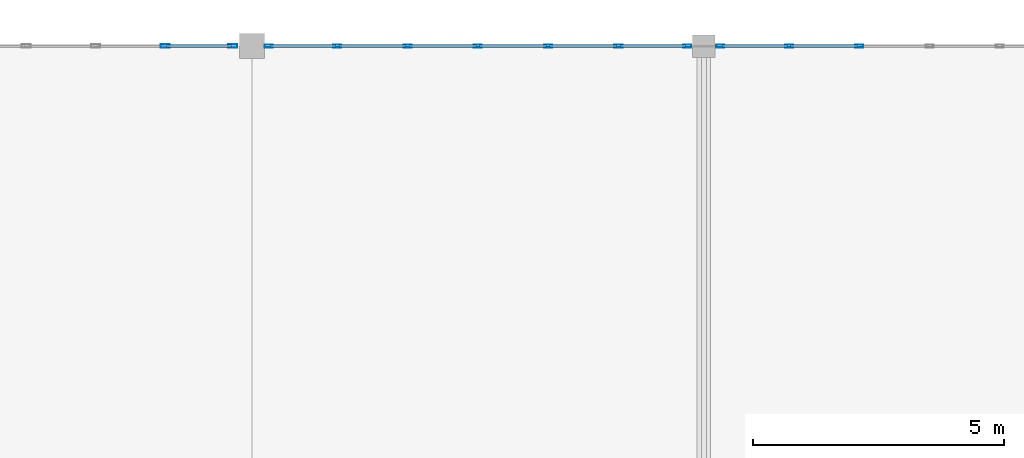
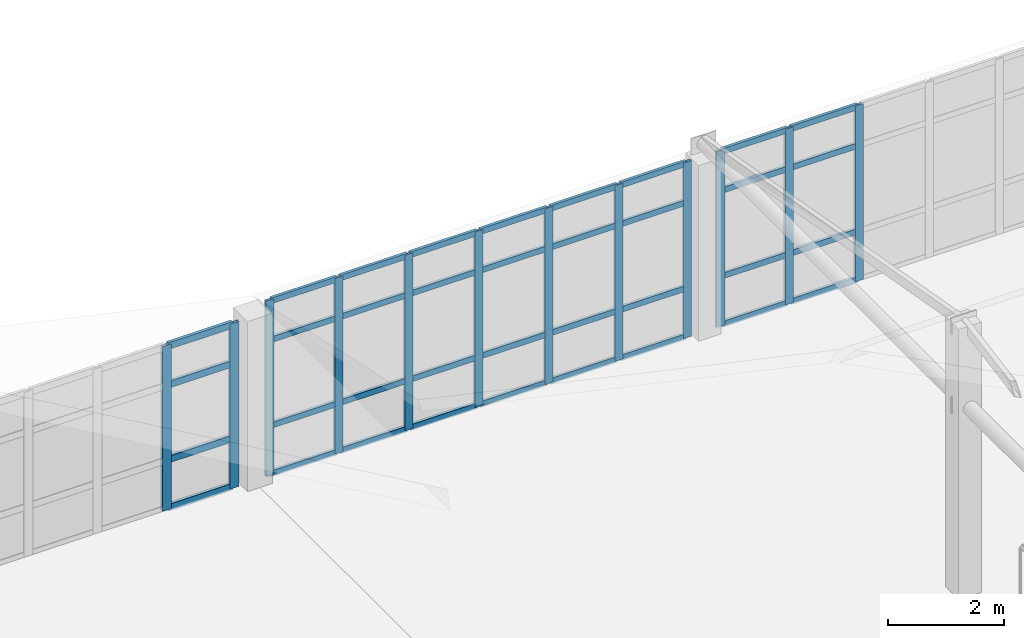
# One storey, part 52 of 156: 48 members, 3 elements without a shape of their own.
"""IFC4 building model written with IfcOpenShell, lengths in metres."""

from ifc_helpers import new_model, si_unit, direction, frame, origin, origin_2d, place, context, subcontext, project, spatial, hollow_rectangle, extrude, material, layer, layer_set, material_profile, profile_set, type_object, element, aggregate, save


model = new_model("IFC4")

# Units and contexts
model_context = context("Model", 3, precision=1e-05, world=origin(), true_north=direction((0.0, 1.0)))
body_context = subcontext(model_context, "Body", "Model", "MODEL_VIEW")
ifc_project = project(units=[si_unit("LENGTHUNIT", "METRE"), si_unit("AREAUNIT", "SQUARE_METRE"), si_unit("VOLUMEUNIT", "CUBIC_METRE"), si_unit("PLANEANGLEUNIT", "RADIAN"), si_unit("MASSUNIT", "GRAM", prefix="KILO")], contexts=[model_context])

# Site, building, storey
site_placement = place(None, origin())
site = spatial("IfcSite", under=ifc_project, at=site_placement, CompositionType="ELEMENT")
building_placement = place(site_placement, origin())
building = spatial("IfcBuilding", under=site, at=building_placement, Name="Ornek Quay Market", CompositionType="ELEMENT")
storey_placement = place(building_placement, frame((0.0, 0.0, 4.5)))
storey = spatial("IfcBuildingStorey", under=building, at=storey_placement, Name="L01", CompositionType="ELEMENT", Elevation=4.5)

# Curtain wall, members
ifc_material_1 = material(Name="Anodised bronze aluminium and triple low-e glass", Category="aluminium")
ifc_layer = layer(ifc_material_1, 0.179931640625, Name="Anodised bronze aluminium and triple low-e glass", Category="aluminium")
ifc_layer_set = layer_set([ifc_layer], Name="Anodised bronze aluminium and triple low-e glass")
curtain_wall_type = type_object("IfcCurtainWallType", Name="CW-CONC-MOD1500", PredefinedType="USERDEFINED", material=ifc_layer_set)
curtain_wall_1_placement = place(storey_placement, origin())
curtain_wall_1 = element("IfcCurtainWall", 1, at=curtain_wall_1_placement, inside=storey, type_object=curtain_wall_type, Name="Curtain wall CW-013", ObjectType="CURTAIN WALL", PredefinedType="USERDEFINED")
ifc_material_2 = material(Name="Anodised aluminium 6063-T6", Category="aluminium")
ifc_material_profile_1 = material_profile(ifc_material_2, hollow_rectangle(XDim=0.06005859375, YDim=0.159912109375, WallThickness=0.00390625, at=origin_2d()), Name="CW-MUL-60x160", Category="aluminium")
ifc_profile_set_1 = profile_set([ifc_material_profile_1], Name="Anodised aluminium 6063-T6")
member_type_1 = type_object("IfcMemberType", Name="CW-MUL-60x160", PredefinedType="MULLION", material=ifc_profile_set_1)
member_1_placement = place(storey_placement, frame((27.330078125, 110.0, 0.0), z_axis=(0.0, 0.0, 1.0), x_axis=(0.0, 1.0, 0.0)))
member_1 = element("IfcMember", 2, at=member_1_placement, type_object=member_type_1, Name="CW-013 mullion 1", PredefinedType="MULLION", context=body_context, shape_type="SweptSolid", body=[
    extrude(hollow_rectangle(XDim=0.06005859375, YDim=0.159912109375, WallThickness=0.00390625, at=origin_2d()), origin(), (0.0, 0.0, 1.0), 3.7099609375),
])
member_2_placement = place(storey_placement, frame((28.699951171875, 110.0, 0.0), z_axis=(0.0, 0.0, 1.0), x_axis=(0.0, 1.0, 0.0)))
member_2 = element("IfcMember", 3, at=member_2_placement, type_object=member_type_1, Name="CW-013 mullion 2", PredefinedType="MULLION", context=body_context, shape_type="SweptSolid", body=[
    extrude(hollow_rectangle(XDim=0.06005859375, YDim=0.159912109375, WallThickness=0.00390625, at=origin_2d()), origin(), (0.0, 0.0, 1.0), 3.7099609375),
])
member_3_placement = place(storey_placement, frame((30.10009765625, 110.0, 0.0), z_axis=(0.0, 0.0, 1.0), x_axis=(0.0, 1.0, 0.0)))
member_3 = element("IfcMember", 4, at=member_3_placement, type_object=member_type_1, Name="CW-013 mullion 3", PredefinedType="MULLION", context=body_context, shape_type="SweptSolid", body=[
    extrude(hollow_rectangle(XDim=0.06005859375, YDim=0.159912109375, WallThickness=0.00390625, at=origin_2d()), origin(), (0.0, 0.0, 1.0), 3.7099609375),
])
member_4_placement = place(storey_placement, frame((31.5, 110.0, 0.0), z_axis=(0.0, 0.0, 1.0), x_axis=(0.0, 1.0, 0.0)))
member_4 = element("IfcMember", 5, at=member_4_placement, type_object=member_type_1, Name="CW-013 mullion 4", PredefinedType="MULLION", context=body_context, shape_type="SweptSolid", body=[
    extrude(hollow_rectangle(XDim=0.06005859375, YDim=0.159912109375, WallThickness=0.00390625, at=origin_2d()), origin(), (0.0, 0.0, 1.0), 3.7099609375),
])
member_5_placement = place(storey_placement, frame((32.89990234375, 110.0, 0.0), z_axis=(0.0, 0.0, 1.0), x_axis=(0.0, 1.0, 0.0)))
member_5 = element("IfcMember", 6, at=member_5_placement, type_object=member_type_1, Name="CW-013 mullion 5", PredefinedType="MULLION", context=body_context, shape_type="SweptSolid", body=[
    extrude(hollow_rectangle(XDim=0.06005859375, YDim=0.159912109375, WallThickness=0.00390625, at=origin_2d()), origin(), (0.0, 0.0, 1.0), 3.7099609375),
])
member_6_placement = place(storey_placement, frame((34.300048828125, 110.0, 0.0), z_axis=(0.0, 0.0, 1.0), x_axis=(0.0, 1.0, 0.0)))
member_6 = element("IfcMember", 7, at=member_6_placement, type_object=member_type_1, Name="CW-013 mullion 6", PredefinedType="MULLION", context=body_context, shape_type="SweptSolid", body=[
    extrude(hollow_rectangle(XDim=0.06005859375, YDim=0.159912109375, WallThickness=0.00390625, at=origin_2d()), origin(), (0.0, 0.0, 1.0), 3.7099609375),
])
member_7_placement = place(storey_placement, frame((35.669921875, 110.0, 0.0), z_axis=(0.0, 0.0, 1.0), x_axis=(0.0, 1.0, 0.0)))
member_7 = element("IfcMember", 8, at=member_7_placement, type_object=member_type_1, Name="CW-013 mullion 7", PredefinedType="MULLION", context=body_context, shape_type="SweptSolid", body=[
    extrude(hollow_rectangle(XDim=0.06005859375, YDim=0.159912109375, WallThickness=0.00390625, at=origin_2d()), origin(), (0.0, 0.0, 1.0), 3.7099609375),
])

curtain_wall_2_placement = place(storey_placement, origin())
curtain_wall_2 = element("IfcCurtainWall", 9, at=curtain_wall_2_placement, inside=storey, type_object=curtain_wall_type, Name="Curtain wall CW-017", ObjectType="CURTAIN WALL", PredefinedType="USERDEFINED")
member_8_placement = place(storey_placement, frame((36.330078125, 110.0, 0.0), z_axis=(0.0, 0.0, 1.0), x_axis=(0.0, 1.0, 0.0)))
member_8 = element("IfcMember", 10, at=member_8_placement, type_object=member_type_1, Name="CW-017 mullion 1", PredefinedType="MULLION", context=body_context, shape_type="SweptSolid", body=[
    extrude(hollow_rectangle(XDim=0.06005859375, YDim=0.159912109375, WallThickness=0.00390625, at=origin_2d()), origin(), (0.0, 0.0, 1.0), 3.7099609375),
])
member_9_placement = place(storey_placement, frame((37.699951171875, 110.0, 0.0), z_axis=(0.0, 0.0, 1.0), x_axis=(0.0, 1.0, 0.0)))
member_9 = element("IfcMember", 11, at=member_9_placement, type_object=member_type_1, Name="CW-017 mullion 2", PredefinedType="MULLION", context=body_context, shape_type="SweptSolid", body=[
    extrude(hollow_rectangle(XDim=0.06005859375, YDim=0.159912109375, WallThickness=0.00390625, at=origin_2d()), origin(), (0.0, 0.0, 1.0), 3.7099609375),
])
member_10_placement = place(storey_placement, frame((39.10009765625, 110.0, 0.0), z_axis=(0.0, 0.0, 1.0), x_axis=(0.0, 1.0, 0.0)))
member_10 = element("IfcMember", 12, at=member_10_placement, type_object=member_type_1, Name="CW-017 mullion 3", PredefinedType="MULLION", context=body_context, shape_type="SweptSolid", body=[
    extrude(hollow_rectangle(XDim=0.06005859375, YDim=0.159912109375, WallThickness=0.00390625, at=origin_2d()), origin(), (0.0, 0.0, 1.0), 3.7099609375),
])

curtain_wall_3_placement = place(storey_placement, origin())
curtain_wall_3 = element("IfcCurtainWall", 13, at=curtain_wall_3_placement, inside=storey, type_object=curtain_wall_type, Name="Curtain wall CW-004", ObjectType="CURTAIN WALL", PredefinedType="USERDEFINED")
ifc_material_profile_2 = material_profile(ifc_material_2, hollow_rectangle(XDim=0.06494140625, YDim=0.179931640625, WallThickness=0.00439453125, at=origin_2d()), Name="CW-MUL-65x180", Category="aluminium")
ifc_profile_set_2 = profile_set([ifc_material_profile_2], Name="Anodised aluminium 6063-T6")
member_type_2 = type_object("IfcMemberType", Name="CW-MUL-65x180", PredefinedType="MULLION", material=ifc_profile_set_2)
member_11_placement = place(storey_placement, frame((25.2666015625, 110.0, 0.0), z_axis=(0.0, 0.0, 1.0), x_axis=(0.0, 1.0, 0.0)))
member_11 = element("IfcMember", 14, at=member_11_placement, type_object=member_type_2, Name="CW-004 mullion 6", PredefinedType="MULLION", context=body_context, shape_type="SweptSolid", body=[
    extrude(hollow_rectangle(XDim=0.06494140625, YDim=0.179931640625, WallThickness=0.00439453125, at=origin_2d()), origin(), (0.0, 0.0, 1.0), 3.47998046875),
])
member_12_placement = place(storey_placement, frame((26.617431640625, 110.0, 0.0), z_axis=(0.0, 0.0, 1.0), x_axis=(0.0, 1.0, 0.0)))
member_12 = element("IfcMember", 15, at=member_12_placement, type_object=member_type_2, Name="CW-004 mullion 7", PredefinedType="MULLION", context=body_context, shape_type="SweptSolid", body=[
    extrude(hollow_rectangle(XDim=0.06494140625, YDim=0.179931640625, WallThickness=0.00439453125, at=origin_2d()), origin(), (0.0, 0.0, 1.0), 3.47998046875),
])

# Member
ifc_material_profile_3 = material_profile(ifc_material_2, hollow_rectangle(XDim=0.06005859375, YDim=0.1201171875, WallThickness=0.00390625, at=origin_2d()), Name="CW-TRN-60x120", Category="aluminium")
ifc_profile_set_3 = profile_set([ifc_material_profile_3], Name="Anodised aluminium 6063-T6")
member_type_3 = type_object("IfcMemberType", Name="CW-TRN-60x120", PredefinedType="USERDEFINED", material=ifc_profile_set_3)
member_13_placement = place(storey_placement, frame((27.360107421875, 110.0, 0.030029296875), z_axis=(1.0, 0.0, 0.0), x_axis=(0.0, 1.0, 0.0)))
member_13 = element("IfcMember", 16, at=member_13_placement, type_object=member_type_3, Name="CW-013 transom 1.1", ObjectType="TRANSOM", PredefinedType="USERDEFINED", context=body_context, shape_type="SweptSolid", body=[
    extrude(hollow_rectangle(XDim=0.06005859375, YDim=0.1201171875, WallThickness=0.00390625, at=origin_2d()), origin(), (0.0, 0.0, 1.0), 1.309814453125),
])

member_14_placement = place(storey_placement, frame((27.360107421875, 110.0, 1.050048828125), z_axis=(1.0, 0.0, 0.0), x_axis=(0.0, 1.0, 0.0)))
member_14 = element("IfcMember", 17, at=member_14_placement, type_object=member_type_3, Name="CW-013 transom 1.2", ObjectType="TRANSOM", PredefinedType="USERDEFINED", context=body_context, shape_type="SweptSolid", body=[
    extrude(hollow_rectangle(XDim=0.06005859375, YDim=0.1201171875, WallThickness=0.00390625, at=origin_2d()), origin(), (0.0, 0.0, 1.0), 1.309814453125),
])

member_15_placement = place(storey_placement, frame((27.360107421875, 110.0, 2.860107421875), z_axis=(1.0, 0.0, 0.0), x_axis=(0.0, 1.0, 0.0)))
member_15 = element("IfcMember", 18, at=member_15_placement, type_object=member_type_3, Name="CW-013 transom 1.3", ObjectType="TRANSOM", PredefinedType="USERDEFINED", context=body_context, shape_type="SweptSolid", body=[
    extrude(hollow_rectangle(XDim=0.06005859375, YDim=0.1201171875, WallThickness=0.00390625, at=origin_2d()), origin(), (0.0, 0.0, 1.0), 1.309814453125),
])

member_16_placement = place(storey_placement, frame((27.360107421875, 110.0, 3.679931640625), z_axis=(1.0, 0.0, 0.0), x_axis=(0.0, 1.0, 0.0)))
member_16 = element("IfcMember", 19, at=member_16_placement, type_object=member_type_3, Name="CW-013 transom 1.4", ObjectType="TRANSOM", PredefinedType="USERDEFINED", context=body_context, shape_type="SweptSolid", body=[
    extrude(hollow_rectangle(XDim=0.06005859375, YDim=0.1201171875, WallThickness=0.00390625, at=origin_2d()), origin(), (0.0, 0.0, 1.0), 1.309814453125),
])

member_17_placement = place(storey_placement, frame((28.72998046875, 110.0, 0.030029296875), z_axis=(1.0, 0.0, 0.0), x_axis=(0.0, 1.0, 0.0)))
member_17 = element("IfcMember", 20, at=member_17_placement, type_object=member_type_3, Name="CW-013 transom 2.1", ObjectType="TRANSOM", PredefinedType="USERDEFINED", context=body_context, shape_type="SweptSolid", body=[
    extrude(hollow_rectangle(XDim=0.06005859375, YDim=0.1201171875, WallThickness=0.00390625, at=origin_2d()), origin(), (0.0, 0.0, 1.0), 1.340087890625),
])

member_18_placement = place(storey_placement, frame((28.72998046875, 110.0, 1.050048828125), z_axis=(1.0, 0.0, 0.0), x_axis=(0.0, 1.0, 0.0)))
member_18 = element("IfcMember", 21, at=member_18_placement, type_object=member_type_3, Name="CW-013 transom 2.2", ObjectType="TRANSOM", PredefinedType="USERDEFINED", context=body_context, shape_type="SweptSolid", body=[
    extrude(hollow_rectangle(XDim=0.06005859375, YDim=0.1201171875, WallThickness=0.00390625, at=origin_2d()), origin(), (0.0, 0.0, 1.0), 1.340087890625),
])

member_19_placement = place(storey_placement, frame((28.72998046875, 110.0, 2.860107421875), z_axis=(1.0, 0.0, 0.0), x_axis=(0.0, 1.0, 0.0)))
member_19 = element("IfcMember", 22, at=member_19_placement, type_object=member_type_3, Name="CW-013 transom 2.3", ObjectType="TRANSOM", PredefinedType="USERDEFINED", context=body_context, shape_type="SweptSolid", body=[
    extrude(hollow_rectangle(XDim=0.06005859375, YDim=0.1201171875, WallThickness=0.00390625, at=origin_2d()), origin(), (0.0, 0.0, 1.0), 1.340087890625),
])

member_20_placement = place(storey_placement, frame((28.72998046875, 110.0, 3.679931640625), z_axis=(1.0, 0.0, 0.0), x_axis=(0.0, 1.0, 0.0)))
member_20 = element("IfcMember", 23, at=member_20_placement, type_object=member_type_3, Name="CW-013 transom 2.4", ObjectType="TRANSOM", PredefinedType="USERDEFINED", context=body_context, shape_type="SweptSolid", body=[
    extrude(hollow_rectangle(XDim=0.06005859375, YDim=0.1201171875, WallThickness=0.00390625, at=origin_2d()), origin(), (0.0, 0.0, 1.0), 1.340087890625),
])

member_21_placement = place(storey_placement, frame((30.1298828125, 110.0, 0.030029296875), z_axis=(1.0, 0.0, 0.0), x_axis=(0.0, 1.0, 0.0)))
member_21 = element("IfcMember", 24, at=member_21_placement, type_object=member_type_3, Name="CW-013 transom 3.1", ObjectType="TRANSOM", PredefinedType="USERDEFINED", context=body_context, shape_type="SweptSolid", body=[
    extrude(hollow_rectangle(XDim=0.06005859375, YDim=0.1201171875, WallThickness=0.00390625, at=origin_2d()), origin(), (0.0, 0.0, 1.0), 1.340087890625),
])

member_22_placement = place(storey_placement, frame((30.1298828125, 110.0, 1.050048828125), z_axis=(1.0, 0.0, 0.0), x_axis=(0.0, 1.0, 0.0)))
member_22 = element("IfcMember", 25, at=member_22_placement, type_object=member_type_3, Name="CW-013 transom 3.2", ObjectType="TRANSOM", PredefinedType="USERDEFINED", context=body_context, shape_type="SweptSolid", body=[
    extrude(hollow_rectangle(XDim=0.06005859375, YDim=0.1201171875, WallThickness=0.00390625, at=origin_2d()), origin(), (0.0, 0.0, 1.0), 1.340087890625),
])

member_23_placement = place(storey_placement, frame((30.1298828125, 110.0, 2.860107421875), z_axis=(1.0, 0.0, 0.0), x_axis=(0.0, 1.0, 0.0)))
member_23 = element("IfcMember", 26, at=member_23_placement, type_object=member_type_3, Name="CW-013 transom 3.3", ObjectType="TRANSOM", PredefinedType="USERDEFINED", context=body_context, shape_type="SweptSolid", body=[
    extrude(hollow_rectangle(XDim=0.06005859375, YDim=0.1201171875, WallThickness=0.00390625, at=origin_2d()), origin(), (0.0, 0.0, 1.0), 1.340087890625),
])

member_24_placement = place(storey_placement, frame((30.1298828125, 110.0, 3.679931640625), z_axis=(1.0, 0.0, 0.0), x_axis=(0.0, 1.0, 0.0)))
member_24 = element("IfcMember", 27, at=member_24_placement, type_object=member_type_3, Name="CW-013 transom 3.4", ObjectType="TRANSOM", PredefinedType="USERDEFINED", context=body_context, shape_type="SweptSolid", body=[
    extrude(hollow_rectangle(XDim=0.06005859375, YDim=0.1201171875, WallThickness=0.00390625, at=origin_2d()), origin(), (0.0, 0.0, 1.0), 1.340087890625),
])

member_25_placement = place(storey_placement, frame((31.530029296875, 110.0, 0.030029296875), z_axis=(1.0, 0.0, 0.0), x_axis=(0.0, 1.0, 0.0)))
member_25 = element("IfcMember", 28, at=member_25_placement, type_object=member_type_3, Name="CW-013 transom 4.1", ObjectType="TRANSOM", PredefinedType="USERDEFINED", context=body_context, shape_type="SweptSolid", body=[
    extrude(hollow_rectangle(XDim=0.06005859375, YDim=0.1201171875, WallThickness=0.00390625, at=origin_2d()), origin(), (0.0, 0.0, 1.0), 1.340087890625),
])

member_26_placement = place(storey_placement, frame((31.530029296875, 110.0, 1.050048828125), z_axis=(1.0, 0.0, 0.0), x_axis=(0.0, 1.0, 0.0)))
member_26 = element("IfcMember", 29, at=member_26_placement, type_object=member_type_3, Name="CW-013 transom 4.2", ObjectType="TRANSOM", PredefinedType="USERDEFINED", context=body_context, shape_type="SweptSolid", body=[
    extrude(hollow_rectangle(XDim=0.06005859375, YDim=0.1201171875, WallThickness=0.00390625, at=origin_2d()), origin(), (0.0, 0.0, 1.0), 1.340087890625),
])

member_27_placement = place(storey_placement, frame((31.530029296875, 110.0, 2.860107421875), z_axis=(1.0, 0.0, 0.0), x_axis=(0.0, 1.0, 0.0)))
member_27 = element("IfcMember", 30, at=member_27_placement, type_object=member_type_3, Name="CW-013 transom 4.3", ObjectType="TRANSOM", PredefinedType="USERDEFINED", context=body_context, shape_type="SweptSolid", body=[
    extrude(hollow_rectangle(XDim=0.06005859375, YDim=0.1201171875, WallThickness=0.00390625, at=origin_2d()), origin(), (0.0, 0.0, 1.0), 1.340087890625),
])

member_28_placement = place(storey_placement, frame((31.530029296875, 110.0, 3.679931640625), z_axis=(1.0, 0.0, 0.0), x_axis=(0.0, 1.0, 0.0)))
member_28 = element("IfcMember", 31, at=member_28_placement, type_object=member_type_3, Name="CW-013 transom 4.4", ObjectType="TRANSOM", PredefinedType="USERDEFINED", context=body_context, shape_type="SweptSolid", body=[
    extrude(hollow_rectangle(XDim=0.06005859375, YDim=0.1201171875, WallThickness=0.00390625, at=origin_2d()), origin(), (0.0, 0.0, 1.0), 1.340087890625),
])

member_29_placement = place(storey_placement, frame((32.929931640625, 110.0, 0.030029296875), z_axis=(1.0, 0.0, 0.0), x_axis=(0.0, 1.0, 0.0)))
member_29 = element("IfcMember", 32, at=member_29_placement, type_object=member_type_3, Name="CW-013 transom 5.1", ObjectType="TRANSOM", PredefinedType="USERDEFINED", context=body_context, shape_type="SweptSolid", body=[
    extrude(hollow_rectangle(XDim=0.06005859375, YDim=0.1201171875, WallThickness=0.00390625, at=origin_2d()), origin(), (0.0, 0.0, 1.0), 1.340087890625),
])

member_30_placement = place(storey_placement, frame((32.929931640625, 110.0, 1.050048828125), z_axis=(1.0, 0.0, 0.0), x_axis=(0.0, 1.0, 0.0)))
member_30 = element("IfcMember", 33, at=member_30_placement, type_object=member_type_3, Name="CW-013 transom 5.2", ObjectType="TRANSOM", PredefinedType="USERDEFINED", context=body_context, shape_type="SweptSolid", body=[
    extrude(hollow_rectangle(XDim=0.06005859375, YDim=0.1201171875, WallThickness=0.00390625, at=origin_2d()), origin(), (0.0, 0.0, 1.0), 1.340087890625),
])

member_31_placement = place(storey_placement, frame((32.929931640625, 110.0, 2.860107421875), z_axis=(1.0, 0.0, 0.0), x_axis=(0.0, 1.0, 0.0)))
member_31 = element("IfcMember", 34, at=member_31_placement, type_object=member_type_3, Name="CW-013 transom 5.3", ObjectType="TRANSOM", PredefinedType="USERDEFINED", context=body_context, shape_type="SweptSolid", body=[
    extrude(hollow_rectangle(XDim=0.06005859375, YDim=0.1201171875, WallThickness=0.00390625, at=origin_2d()), origin(), (0.0, 0.0, 1.0), 1.340087890625),
])

member_32_placement = place(storey_placement, frame((32.929931640625, 110.0, 3.679931640625), z_axis=(1.0, 0.0, 0.0), x_axis=(0.0, 1.0, 0.0)))
member_32 = element("IfcMember", 35, at=member_32_placement, type_object=member_type_3, Name="CW-013 transom 5.4", ObjectType="TRANSOM", PredefinedType="USERDEFINED", context=body_context, shape_type="SweptSolid", body=[
    extrude(hollow_rectangle(XDim=0.06005859375, YDim=0.1201171875, WallThickness=0.00390625, at=origin_2d()), origin(), (0.0, 0.0, 1.0), 1.340087890625),
])

member_33_placement = place(storey_placement, frame((34.330078125, 110.0, 0.030029296875), z_axis=(1.0, 0.0, 0.0), x_axis=(0.0, 1.0, 0.0)))
member_33 = element("IfcMember", 36, at=member_33_placement, type_object=member_type_3, Name="CW-013 transom 6.1", ObjectType="TRANSOM", PredefinedType="USERDEFINED", context=body_context, shape_type="SweptSolid", body=[
    extrude(hollow_rectangle(XDim=0.06005859375, YDim=0.1201171875, WallThickness=0.00390625, at=origin_2d()), origin(), (0.0, 0.0, 1.0), 1.309814453125),
])

member_34_placement = place(storey_placement, frame((34.330078125, 110.0, 1.050048828125), z_axis=(1.0, 0.0, 0.0), x_axis=(0.0, 1.0, 0.0)))
member_34 = element("IfcMember", 37, at=member_34_placement, type_object=member_type_3, Name="CW-013 transom 6.2", ObjectType="TRANSOM", PredefinedType="USERDEFINED", context=body_context, shape_type="SweptSolid", body=[
    extrude(hollow_rectangle(XDim=0.06005859375, YDim=0.1201171875, WallThickness=0.00390625, at=origin_2d()), origin(), (0.0, 0.0, 1.0), 1.309814453125),
])

member_35_placement = place(storey_placement, frame((34.330078125, 110.0, 2.860107421875), z_axis=(1.0, 0.0, 0.0), x_axis=(0.0, 1.0, 0.0)))
member_35 = element("IfcMember", 38, at=member_35_placement, type_object=member_type_3, Name="CW-013 transom 6.3", ObjectType="TRANSOM", PredefinedType="USERDEFINED", context=body_context, shape_type="SweptSolid", body=[
    extrude(hollow_rectangle(XDim=0.06005859375, YDim=0.1201171875, WallThickness=0.00390625, at=origin_2d()), origin(), (0.0, 0.0, 1.0), 1.309814453125),
])

member_36_placement = place(storey_placement, frame((34.330078125, 110.0, 3.679931640625), z_axis=(1.0, 0.0, 0.0), x_axis=(0.0, 1.0, 0.0)))
member_36 = element("IfcMember", 39, at=member_36_placement, type_object=member_type_3, Name="CW-013 transom 6.4", ObjectType="TRANSOM", PredefinedType="USERDEFINED", context=body_context, shape_type="SweptSolid", body=[
    extrude(hollow_rectangle(XDim=0.06005859375, YDim=0.1201171875, WallThickness=0.00390625, at=origin_2d()), origin(), (0.0, 0.0, 1.0), 1.309814453125),
])

aggregate(curtain_wall_1, [member_1, member_2, member_3, member_4, member_5, member_6, member_7, member_13, member_14, member_15, member_16, member_17, member_18, member_19, member_20, member_21, member_22, member_23, member_24, member_25, member_26, member_27, member_28, member_29, member_30, member_31, member_32, member_33, member_34, member_35, member_36])

member_37_placement = place(storey_placement, frame((36.360107421875, 110.0, 0.030029296875), z_axis=(1.0, 0.0, 0.0), x_axis=(0.0, 1.0, 0.0)))
member_37 = element("IfcMember", 40, at=member_37_placement, type_object=member_type_3, Name="CW-017 transom 1.1", ObjectType="TRANSOM", PredefinedType="USERDEFINED", context=body_context, shape_type="SweptSolid", body=[
    extrude(hollow_rectangle(XDim=0.06005859375, YDim=0.1201171875, WallThickness=0.00390625, at=origin_2d()), origin(), (0.0, 0.0, 1.0), 1.309814453125),
])

member_38_placement = place(storey_placement, frame((36.360107421875, 110.0, 1.050048828125), z_axis=(1.0, 0.0, 0.0), x_axis=(0.0, 1.0, 0.0)))
member_38 = element("IfcMember", 41, at=member_38_placement, type_object=member_type_3, Name="CW-017 transom 1.2", ObjectType="TRANSOM", PredefinedType="USERDEFINED", context=body_context, shape_type="SweptSolid", body=[
    extrude(hollow_rectangle(XDim=0.06005859375, YDim=0.1201171875, WallThickness=0.00390625, at=origin_2d()), origin(), (0.0, 0.0, 1.0), 1.309814453125),
])

member_39_placement = place(storey_placement, frame((36.360107421875, 110.0, 2.860107421875), z_axis=(1.0, 0.0, 0.0), x_axis=(0.0, 1.0, 0.0)))
member_39 = element("IfcMember", 42, at=member_39_placement, type_object=member_type_3, Name="CW-017 transom 1.3", ObjectType="TRANSOM", PredefinedType="USERDEFINED", context=body_context, shape_type="SweptSolid", body=[
    extrude(hollow_rectangle(XDim=0.06005859375, YDim=0.1201171875, WallThickness=0.00390625, at=origin_2d()), origin(), (0.0, 0.0, 1.0), 1.309814453125),
])

member_40_placement = place(storey_placement, frame((36.360107421875, 110.0, 3.679931640625), z_axis=(1.0, 0.0, 0.0), x_axis=(0.0, 1.0, 0.0)))
member_40 = element("IfcMember", 43, at=member_40_placement, type_object=member_type_3, Name="CW-017 transom 1.4", ObjectType="TRANSOM", PredefinedType="USERDEFINED", context=body_context, shape_type="SweptSolid", body=[
    extrude(hollow_rectangle(XDim=0.06005859375, YDim=0.1201171875, WallThickness=0.00390625, at=origin_2d()), origin(), (0.0, 0.0, 1.0), 1.309814453125),
])

member_41_placement = place(storey_placement, frame((37.72998046875, 110.0, 0.030029296875), z_axis=(1.0, 0.0, 0.0), x_axis=(0.0, 1.0, 0.0)))
member_41 = element("IfcMember", 44, at=member_41_placement, type_object=member_type_3, Name="CW-017 transom 2.1", ObjectType="TRANSOM", PredefinedType="USERDEFINED", context=body_context, shape_type="SweptSolid", body=[
    extrude(hollow_rectangle(XDim=0.06005859375, YDim=0.1201171875, WallThickness=0.00390625, at=origin_2d()), origin(), (0.0, 0.0, 1.0), 1.340087890625),
])

member_42_placement = place(storey_placement, frame((37.72998046875, 110.0, 1.050048828125), z_axis=(1.0, 0.0, 0.0), x_axis=(0.0, 1.0, 0.0)))
member_42 = element("IfcMember", 45, at=member_42_placement, type_object=member_type_3, Name="CW-017 transom 2.2", ObjectType="TRANSOM", PredefinedType="USERDEFINED", context=body_context, shape_type="SweptSolid", body=[
    extrude(hollow_rectangle(XDim=0.06005859375, YDim=0.1201171875, WallThickness=0.00390625, at=origin_2d()), origin(), (0.0, 0.0, 1.0), 1.340087890625),
])

member_43_placement = place(storey_placement, frame((37.72998046875, 110.0, 2.860107421875), z_axis=(1.0, 0.0, 0.0), x_axis=(0.0, 1.0, 0.0)))
member_43 = element("IfcMember", 46, at=member_43_placement, type_object=member_type_3, Name="CW-017 transom 2.3", ObjectType="TRANSOM", PredefinedType="USERDEFINED", context=body_context, shape_type="SweptSolid", body=[
    extrude(hollow_rectangle(XDim=0.06005859375, YDim=0.1201171875, WallThickness=0.00390625, at=origin_2d()), origin(), (0.0, 0.0, 1.0), 1.340087890625),
])

member_44_placement = place(storey_placement, frame((37.72998046875, 110.0, 3.679931640625), z_axis=(1.0, 0.0, 0.0), x_axis=(0.0, 1.0, 0.0)))
member_44 = element("IfcMember", 47, at=member_44_placement, type_object=member_type_3, Name="CW-017 transom 2.4", ObjectType="TRANSOM", PredefinedType="USERDEFINED", context=body_context, shape_type="SweptSolid", body=[
    extrude(hollow_rectangle(XDim=0.06005859375, YDim=0.1201171875, WallThickness=0.00390625, at=origin_2d()), origin(), (0.0, 0.0, 1.0), 1.340087890625),
])

aggregate(curtain_wall_2, [member_8, member_9, member_10, member_37, member_38, member_39, member_40, member_41, member_42, member_43, member_44])

ifc_material_profile_4 = material_profile(ifc_material_2, hollow_rectangle(XDim=0.06494140625, YDim=0.139892578125, WallThickness=0.00439453125, at=origin_2d()), Name="CW-TRN-65x140", Category="aluminium")
ifc_profile_set_4 = profile_set([ifc_material_profile_4], Name="Anodised aluminium 6063-T6")
member_type_4 = type_object("IfcMemberType", Name="CW-TRN-65x140", PredefinedType="USERDEFINED", material=ifc_profile_set_4)
member_45_placement = place(storey_placement, frame((25.299072265625, 110.0, 0.032470703125), z_axis=(1.0, 0.0, 0.0), x_axis=(0.0, 1.0, 0.0)))
member_45 = element("IfcMember", 48, at=member_45_placement, type_object=member_type_4, Name="CW-004 transom 6.1", ObjectType="TRANSOM", PredefinedType="USERDEFINED", context=body_context, shape_type="SweptSolid", body=[
    extrude(hollow_rectangle(XDim=0.06494140625, YDim=0.139892578125, WallThickness=0.00439453125, at=origin_2d()), origin(), (0.0, 0.0, 1.0), 1.285888671875),
])

member_46_placement = place(storey_placement, frame((25.299072265625, 110.0, 1.050048828125), z_axis=(1.0, 0.0, 0.0), x_axis=(0.0, 1.0, 0.0)))
member_46 = element("IfcMember", 49, at=member_46_placement, type_object=member_type_4, Name="CW-004 transom 6.2", ObjectType="TRANSOM", PredefinedType="USERDEFINED", context=body_context, shape_type="SweptSolid", body=[
    extrude(hollow_rectangle(XDim=0.06494140625, YDim=0.139892578125, WallThickness=0.00439453125, at=origin_2d()), origin(), (0.0, 0.0, 1.0), 1.285888671875),
])

member_47_placement = place(storey_placement, frame((25.299072265625, 110.0, 2.6298828125), z_axis=(1.0, 0.0, 0.0), x_axis=(0.0, 1.0, 0.0)))
member_47 = element("IfcMember", 50, at=member_47_placement, type_object=member_type_4, Name="CW-004 transom 6.3", ObjectType="TRANSOM", PredefinedType="USERDEFINED", context=body_context, shape_type="SweptSolid", body=[
    extrude(hollow_rectangle(XDim=0.06494140625, YDim=0.139892578125, WallThickness=0.00439453125, at=origin_2d()), origin(), (0.0, 0.0, 1.0), 1.285888671875),
])

member_48_placement = place(storey_placement, frame((25.299072265625, 110.0, 3.447509765625), z_axis=(1.0, 0.0, 0.0), x_axis=(0.0, 1.0, 0.0)))
member_48 = element("IfcMember", 51, at=member_48_placement, type_object=member_type_4, Name="CW-004 transom 6.4", ObjectType="TRANSOM", PredefinedType="USERDEFINED", context=body_context, shape_type="SweptSolid", body=[
    extrude(hollow_rectangle(XDim=0.06494140625, YDim=0.139892578125, WallThickness=0.00439453125, at=origin_2d()), origin(), (0.0, 0.0, 1.0), 1.285888671875),
])

aggregate(curtain_wall_3, [member_11, member_12, member_45, member_46, member_47, member_48])

save(model, "model.ifc")
